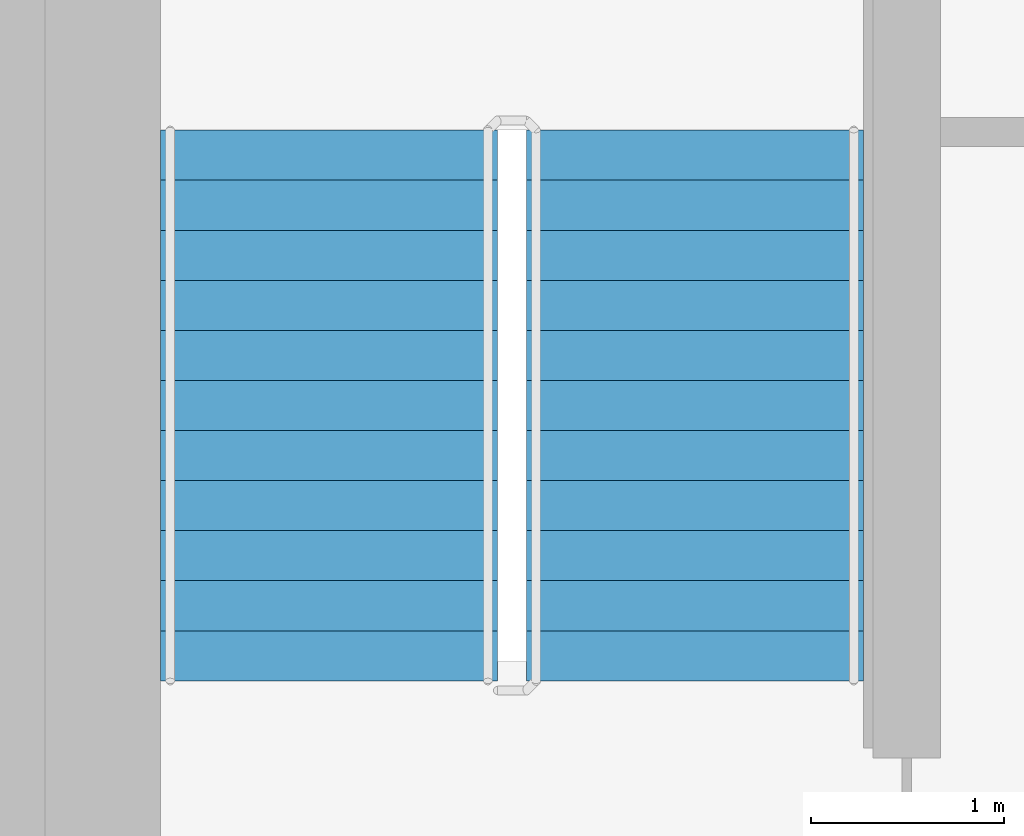
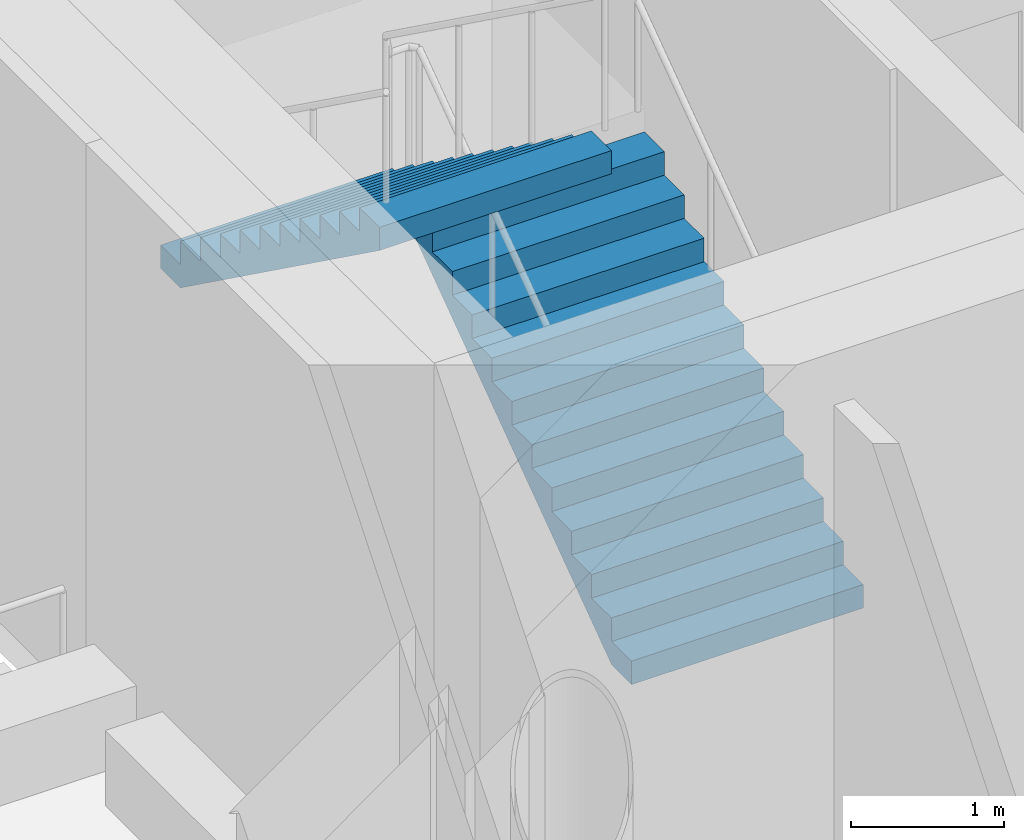
# One storey, part 15 of 20: 2 stair flights, 1 element without a shape of its own.
"""IFC4 building model written with IfcOpenShell, lengths in metres."""

import ifcopenshell
import ifcopenshell.guid

model = None  # the IFC model being written
_history = None  # IfcOwnerHistory: only IFC2X3 demands one
_inside = {}  # id of a spatial element -> (the spatial element, [elements in it])
_under = {}  # id of a project, library or spatial element -> (it, [spatial elements below it])
_declared = {}  # id of a project -> (the project, [libraries it declares])
_typed = {}  # id of a type object -> (the type object, [elements of that type])
_made_of = {}  # id of a material, layer set ... -> (it, [elements and type objects made of it])


def new_model(schema):
    """Start an empty IFC model of exactly this schema.

    Asked for "IFC4X3", IfcOpenShell would pick the latest addendum, in which some entities
    have other attributes; the version numbers below select the first issue.
    IFC2X3 requires an IfcOwnerHistory on every rooted entity: one is made here for all.
    """
    global model, _history
    if schema == "IFC4X3":
        model = ifcopenshell.file(schema_version=(4, 3, 0, 0))
    else:
        model = ifcopenshell.file(schema=schema)
    _inside.clear()
    _under.clear()
    _declared.clear()
    _typed.clear()
    _made_of.clear()
    _history = None
    if model.schema == "IFC2X3":
        org = make("IfcOrganization", Name="unknown")
        user = make(
            "IfcPersonAndOrganization",
            ThePerson=make("IfcPerson", FamilyName="unknown"),
            TheOrganization=org,
        )
        app = make(
            "IfcApplication",
            ApplicationDeveloper=org,
            Version="unknown",
            ApplicationFullName="unknown",
            ApplicationIdentifier="unknown",
        )
        _history = make(
            "IfcOwnerHistory",
            OwningUser=user,
            OwningApplication=app,
            ChangeAction="ADDED",
            CreationDate=0,
        )
    return model


def make(cls, **values):
    """One entity of the class cls with the attributes given. An attribute that is None is left unset."""
    return model.create_entity(
        cls, **{name: value for name, value in values.items() if value is not None}
    )


def rooted(cls, **values):
    """An entity with a GlobalId (a new one), such as an element, a storey or a relation."""
    return make(cls, GlobalId=ifcopenshell.guid.new(), OwnerHistory=_history, **values)


def si_unit(unit_type, name, prefix=None):
    """IfcSIUnit, for example si_unit("LENGTHUNIT", "METRE", prefix="MILLI")."""
    return make("IfcSIUnit", UnitType=unit_type, Prefix=prefix, Name=name)


def assignment(units):
    """IfcUnitAssignment: the units of a project."""
    return None if units is None else make("IfcUnitAssignment", Units=units)


def point(xyz):
    """IfcCartesianPoint."""
    return None if xyz is None else make("IfcCartesianPoint", Coordinates=xyz)


def direction(xyz):
    """IfcDirection."""
    return None if xyz is None else make("IfcDirection", DirectionRatios=xyz)


def frame(location, z_axis=None, x_axis=None):
    """IfcAxis2Placement3D, a coordinate frame: its origin and axes. An axis left out is left unset."""
    return make(
        "IfcAxis2Placement3D",
        Location=point(location),
        Axis=direction(z_axis),
        RefDirection=direction(x_axis),
    )


def origin():
    """The frame at (0, 0, 0) with its axes left unset."""
    return frame((0.0, 0.0, 0.0))


def place(relative_to, where):
    """IfcLocalPlacement: puts the frame where relative to a parent placement (None: the world)."""
    return make(
        "IfcLocalPlacement", PlacementRelTo=relative_to, RelativePlacement=where
    )


def context(
    kind, dimensions, precision=None, world=None, true_north=None, identifier=None
):
    """IfcGeometricRepresentationContext, for example the 3D "Model" context."""
    return make(
        "IfcGeometricRepresentationContext",
        ContextIdentifier=identifier,
        ContextType=kind,
        CoordinateSpaceDimension=dimensions,
        Precision=precision,
        WorldCoordinateSystem=world,
        TrueNorth=true_north,
    )


def subcontext(parent, identifier, kind, view, scale=None):
    """IfcGeometricRepresentationSubContext, for example "Body" below "Model"."""
    return make(
        "IfcGeometricRepresentationSubContext",
        ContextIdentifier=identifier,
        ContextType=kind,
        ParentContext=parent,
        TargetScale=scale,
        TargetView=view,
    )


def project(units=None, contexts=None):
    """IfcProject with its units and contexts."""
    return rooted(
        "IfcProject",
        Name="project",
        RepresentationContexts=contexts,
        UnitsInContext=assignment(units),
    )


def spatial(cls, under=None, at=None, **own):
    """A site, building, storey or space (cls), placed at a placement, below another one or the project."""
    s = rooted(cls, ObjectPlacement=at, **own)
    if under is not None:
        _under.setdefault(under.id(), (under, []))[1].append(s)
    return s


def faces_of(points, faces, orient=None, outer=None):
    """IfcFace entities. A face is a list of loops; a loop is a list of indices into points, from 0.

    orient and outer hold one flag for each loop. By default every Orientation is true, the
    first loop of a face is its IfcFaceOuterBound and the others are IfcFaceBound.
    """
    made = []
    for i, loops in enumerate(faces):
        bounds = []
        for j, loop in enumerate(loops):
            is_outer = j == 0 if outer is None else outer[i][j]
            bounds.append(
                make(
                    "IfcFaceOuterBound" if is_outer else "IfcFaceBound",
                    Bound=make("IfcPolyLoop", Polygon=[points[k] for k in loop]),
                    Orientation=True if orient is None else orient[i][j],
                )
            )
        made.append(make("IfcFace", Bounds=bounds))
    return made


def faceted_brep(points, faces, orient=None, outer=None, voids=None):
    """IfcFacetedBrep: a solid bounded by flat faces; with voids (closed shells), ...WithVoids."""
    shared = [point(p) for p in points]
    hull = make("IfcClosedShell", CfsFaces=faces_of(shared, faces, orient, outer))
    if voids is None:
        return make("IfcFacetedBrep", Outer=hull)
    return make(
        "IfcFacetedBrepWithVoids",
        Outer=hull,
        Voids=[
            make(cls, CfsFaces=faces_of(shared, fs, o, b)) for cls, fs, o, b in voids
        ],
    )


def shape(context_of_items, identifier, shape_type, items):
    """IfcShapeRepresentation: the items that make up one representation, for example the "Body"."""
    return make(
        "IfcShapeRepresentation",
        ContextOfItems=context_of_items,
        RepresentationIdentifier=identifier,
        RepresentationType=shape_type,
        Items=items,
    )


def material(Name=None, Category=None):
    """IfcMaterial."""
    return make("IfcMaterial", Name=Name, Category=Category)


def made_of(thing, what):
    """Note that an element or type object is made of a material, layer set ...; save() writes the relation."""
    if what is not None:
        _made_of.setdefault(what.id(), (what, []))[1].append(thing)
    return thing


def type_object(cls, material=None, **own):
    """A type object (cls), such as IfcWallType, which elements share."""
    return made_of(rooted(cls, **own), material)


def element(
    cls,
    number,
    at=None,
    inside=None,
    cuts=None,
    type_object=None,
    material=None,
    context=None,
    identifier="Body",
    shape_type=None,
    held_by="IfcProductDefinitionShape",
    body=None,
    shapes=None,
    **own,
):
    """One element of the class cls, such as IfcWall. Its Tag is "e" and its number.

    at: its placement. inside: the storey or other place that contains it. cuts: it is an
    opening in that element (IfcRelVoidsElement). A single representation is given by context,
    identifier, shape_type and body (its items); several are given by shapes. held_by: the class
    of the entity that holds the representations. save() writes the other relations.
    """
    e = rooted(cls, Tag="e%d" % number, ObjectPlacement=at, **own)
    if body is not None:
        shapes = [shape(context, identifier, shape_type, body)]
    if shapes is not None:
        e.Representation = make(held_by, Representations=shapes)
    if inside is not None:
        _inside.setdefault(inside.id(), (inside, []))[1].append(e)
    if cuts is not None:
        rooted(
            "IfcRelVoidsElement", RelatingBuildingElement=cuts, RelatedOpeningElement=e
        )
    if type_object is not None:
        _typed.setdefault(type_object.id(), (type_object, []))[1].append(e)
    return made_of(e, material)


def aggregate(whole, parts):
    """IfcRelAggregates: a whole, such as a stair, and the parts it consists of."""
    return rooted("IfcRelAggregates", RelatingObject=whole, RelatedObjects=parts)


def save(model, path):
    """Write the relations noted so far, then the file.

    IfcRelAggregates (storeys below a building ...), IfcRelContainedInSpatialStructure (elements
    in a storey), IfcRelDefinesByType, IfcRelAssociatesMaterial and IfcRelDeclares: one each for
    every whole, place, type object, material and project.
    """
    for whole, parts in _under.values():
        aggregate(whole, parts)
    for where, things in _inside.values():
        rooted(
            "IfcRelContainedInSpatialStructure",
            RelatedElements=things,
            RelatingStructure=where,
        )
    for kind, things in _typed.values():
        rooted("IfcRelDefinesByType", RelatedObjects=things, RelatingType=kind)
    for what, things in _made_of.values():
        rooted("IfcRelAssociatesMaterial", RelatedObjects=things, RelatingMaterial=what)
    for by, libraries in _declared.values():
        rooted("IfcRelDeclares", RelatingContext=by, RelatedDefinitions=libraries)
    model.write(path)


model = new_model("IFC4")

# Units and contexts
model_context = context("Model", 3, precision=1e-05, world=origin(), true_north=direction((0.0, 1.0)))
body_context = subcontext(model_context, "Body", "Model", "MODEL_VIEW")
ifc_project = project(units=[si_unit("LENGTHUNIT", "METRE"), si_unit("AREAUNIT", "SQUARE_METRE"), si_unit("VOLUMEUNIT", "CUBIC_METRE"), si_unit("PLANEANGLEUNIT", "RADIAN"), si_unit("MASSUNIT", "GRAM", prefix="KILO")], contexts=[model_context])

# Site, building, storey
site_placement = place(None, origin())
site = spatial("IfcSite", under=ifc_project, at=site_placement, CompositionType="ELEMENT")
building_placement = place(site_placement, origin())
building = spatial("IfcBuilding", under=site, at=building_placement, Name="Ipe Terrace Towers", CompositionType="ELEMENT")
storey_placement = place(building_placement, frame((0.0, 0.0, 242.39990234375)))
storey = spatial("IfcBuildingStorey", under=building, at=storey_placement, Name="L67", CompositionType="ELEMENT", Elevation=242.39990234375)

# Stair, stair flights
ifc_material_1 = material(Name="Concrete C30/37", Category="concrete")
stair_type = type_object("IfcStairType", Name="Protected exit stair", PredefinedType="HALF_TURN_STAIR", material=ifc_material_1)
stair_placement = place(storey_placement, origin())
stair = element("IfcStair", 1, at=stair_placement, inside=storey, type_object=stair_type, Name="L67 Exit stair T2-C1", PredefinedType="HALF_TURN_STAIR")
ifc_material_2 = material(Name="Concrete C30/37", Category="concrete")
stair_flight_type = type_object("IfcStairFlightType", Name="Exit stair flight 1750", PredefinedType="STRAIGHT", material=ifc_material_2)
stair_flight_1_placement = place(storey_placement, frame((33.22509765625, 9.699951171875, 0.0), z_axis=(0.0, 0.0, 1.0), x_axis=(0.0, 1.0, 0.0)))
stair_flight_1 = element("IfcStairFlight", 2, at=stair_flight_1_placement, type_object=stair_flight_type, Name="T2-ST1 flight 1", NumberOfRisers=12, NumberOfTreads=11, PredefinedType="STRAIGHT", RiserHeight=0.1875, TreadLength=0.26, context=body_context, shape_type="Brep", body=[
    faceted_brep([(0.25634765625, -0.875, 0.0), (2.860107421875, -0.875, 1.877685546875), (2.860107421875, -0.875, 2.0625), (2.60009765625, -0.875, 2.0625), (2.60009765625, -0.875, 1.875), (2.340087890625, -0.875, 1.875), (2.340087890625, -0.875, 1.6875), (2.080078125, -0.875, 1.6875), (2.080078125, -0.875, 1.5), (1.820068359375, -0.875, 1.5), (1.820068359375, -0.875, 1.3125), (1.56005859375, -0.875, 1.3125), (1.56005859375, -0.875, 1.125), (1.300048828125, -0.875, 1.125), (1.300048828125, -0.875, 0.9375), (1.0400390625, -0.875, 0.9375), (1.0400390625, -0.875, 0.75), (0.780029296875, -0.875, 0.75), (0.780029296875, -0.875, 0.5625), (0.52001953125, -0.875, 0.5625), (0.52001953125, -0.875, 0.375), (0.260009765625, -0.875, 0.375), (0.260009765625, -0.875, 0.1875), (0.0, -0.875, 0.1875), (0.0, -0.875, 0.0), (0.0, 0.875, 0.0), (0.0, 0.875, 0.1875), (0.260009765625, 0.875, 0.1875), (0.260009765625, 0.875, 0.375), (0.52001953125, 0.875, 0.375), (0.52001953125, 0.875, 0.5625), (0.780029296875, 0.875, 0.5625), (0.780029296875, 0.875, 0.75), (1.0400390625, 0.875, 0.75), (1.0400390625, 0.875, 0.9375), (1.300048828125, 0.875, 0.9375), (1.300048828125, 0.875, 1.125), (1.56005859375, 0.875, 1.125), (1.56005859375, 0.875, 1.3125), (1.820068359375, 0.875, 1.3125), (1.820068359375, 0.875, 1.5), (2.080078125, 0.875, 1.5), (2.080078125, 0.875, 1.6875), (2.340087890625, 0.875, 1.6875), (2.340087890625, 0.875, 1.875), (2.60009765625, 0.875, 1.875), (2.60009765625, 0.875, 2.0625), (2.860107421875, 0.875, 2.0625), (2.860107421875, 0.875, 1.877685546875), (0.25634765625, 0.875, 0.0), (0.0, -0.300048828125, 0.1875), (0.0, -0.1201171875, 0.1875), (0.0, -0.06005859375, 0.1875), (0.0, -0.030029296875, 0.1875), (0.0, -0.010009765625, 0.1875), (0.0, 0.0, 0.1875), (0.0, 0.010009765625, 0.1875), (0.0, 0.030029296875, 0.1875), (0.0, 0.06005859375, 0.1875), (0.0, 0.1201171875, 0.1875), (0.0, 0.300048828125, 0.1875), (0.0, 0.300048828125, 0.0), (0.0, 0.1201171875, 0.0), (0.0, 0.06005859375, 0.0), (0.0, 0.030029296875, 0.0), (0.0, 0.010009765625, 0.0), (0.0, 0.0, 0.0), (0.0, -0.010009765625, 0.0), (0.0, -0.030029296875, 0.0), (0.0, -0.06005859375, 0.0), (0.0, -0.1201171875, 0.0), (0.0, -0.300048828125, 0.0), (0.260009765625, -0.300048828125, 0.1875), (0.260009765625, -0.1201171875, 0.1875), (0.260009765625, -0.06005859375, 0.1875), (0.260009765625, -0.030029296875, 0.1875), (0.260009765625, -0.010009765625, 0.1875), (0.260009765625, 0.0, 0.1875), (0.260009765625, 0.010009765625, 0.1875), (0.260009765625, 0.030029296875, 0.1875), (0.260009765625, 0.06005859375, 0.1875), (0.260009765625, 0.1201171875, 0.1875), (0.260009765625, 0.300048828125, 0.1875), (0.260009765625, -0.300048828125, 0.375), (0.260009765625, -0.1201171875, 0.375), (0.260009765625, -0.06005859375, 0.375), (0.260009765625, -0.030029296875, 0.375), (0.260009765625, -0.010009765625, 0.375), (0.260009765625, 0.0, 0.375), (0.260009765625, 0.010009765625, 0.375), (0.260009765625, 0.030029296875, 0.375), (0.260009765625, 0.06005859375, 0.375), (0.260009765625, 0.1201171875, 0.375), (0.260009765625, 0.300048828125, 0.375), (0.52001953125, -0.300048828125, 0.375), (0.52001953125, -0.1201171875, 0.375), (0.52001953125, -0.06005859375, 0.375), (0.52001953125, -0.030029296875, 0.375), (0.52001953125, -0.010009765625, 0.375), (0.52001953125, 0.0, 0.375), (0.52001953125, 0.010009765625, 0.375), (0.52001953125, 0.030029296875, 0.375), (0.52001953125, 0.06005859375, 0.375), (0.52001953125, 0.1201171875, 0.375), (0.52001953125, 0.300048828125, 0.375), (0.52001953125, -0.300048828125, 0.5625), (0.52001953125, -0.1201171875, 0.5625), (0.52001953125, -0.06005859375, 0.5625), (0.52001953125, -0.030029296875, 0.5625), (0.52001953125, -0.010009765625, 0.5625), (0.52001953125, 0.0, 0.5625), (0.52001953125, 0.010009765625, 0.5625), (0.52001953125, 0.030029296875, 0.5625), (0.52001953125, 0.06005859375, 0.5625), (0.52001953125, 0.1201171875, 0.5625), (0.52001953125, 0.300048828125, 0.5625), (0.780029296875, -0.300048828125, 0.5625), (0.780029296875, -0.1201171875, 0.5625), (0.780029296875, -0.06005859375, 0.5625), (0.780029296875, -0.030029296875, 0.5625), (0.780029296875, -0.010009765625, 0.5625), (0.780029296875, 0.0, 0.5625), (0.780029296875, 0.010009765625, 0.5625), (0.780029296875, 0.030029296875, 0.5625), (0.780029296875, 0.06005859375, 0.5625), (0.780029296875, 0.1201171875, 0.5625), (0.780029296875, 0.300048828125, 0.5625), (0.780029296875, -0.300048828125, 0.75), (0.780029296875, -0.1201171875, 0.75), (0.780029296875, -0.06005859375, 0.75), (0.780029296875, -0.030029296875, 0.75), (0.780029296875, -0.010009765625, 0.75), (0.780029296875, 0.0, 0.75), (0.780029296875, 0.010009765625, 0.75), (0.780029296875, 0.030029296875, 0.75), (0.780029296875, 0.06005859375, 0.75), (0.780029296875, 0.1201171875, 0.75), (0.780029296875, 0.300048828125, 0.75), (1.0400390625, -0.300048828125, 0.75), (1.0400390625, -0.1201171875, 0.75), (1.0400390625, -0.06005859375, 0.75), (1.0400390625, -0.030029296875, 0.75), (1.0400390625, -0.010009765625, 0.75), (1.0400390625, 0.0, 0.75), (1.0400390625, 0.010009765625, 0.75), (1.0400390625, 0.030029296875, 0.75), (1.0400390625, 0.06005859375, 0.75), (1.0400390625, 0.1201171875, 0.75), (1.0400390625, 0.300048828125, 0.75), (1.0400390625, -0.300048828125, 0.9375), (1.0400390625, -0.1201171875, 0.9375), (1.0400390625, -0.06005859375, 0.9375), (1.0400390625, -0.030029296875, 0.9375), (1.0400390625, -0.010009765625, 0.9375), (1.0400390625, 0.0, 0.9375), (1.0400390625, 0.010009765625, 0.9375), (1.0400390625, 0.030029296875, 0.9375), (1.0400390625, 0.06005859375, 0.9375), (1.0400390625, 0.1201171875, 0.9375), (1.0400390625, 0.300048828125, 0.9375), (1.300048828125, -0.300048828125, 0.9375), (1.300048828125, -0.1201171875, 0.9375), (1.300048828125, -0.06005859375, 0.9375), (1.300048828125, -0.030029296875, 0.9375), (1.300048828125, -0.010009765625, 0.9375), (1.300048828125, 0.0, 0.9375), (1.300048828125, 0.010009765625, 0.9375), (1.300048828125, 0.030029296875, 0.9375), (1.300048828125, 0.06005859375, 0.9375), (1.300048828125, 0.1201171875, 0.9375), (1.300048828125, 0.300048828125, 0.9375), (1.300048828125, -0.300048828125, 1.125), (1.300048828125, -0.1201171875, 1.125), (1.300048828125, -0.06005859375, 1.125), (1.300048828125, -0.030029296875, 1.125), (1.300048828125, -0.010009765625, 1.125), (1.300048828125, 0.0, 1.125), (1.300048828125, 0.010009765625, 1.125), (1.300048828125, 0.030029296875, 1.125), (1.300048828125, 0.06005859375, 1.125), (1.300048828125, 0.1201171875, 1.125), (1.300048828125, 0.300048828125, 1.125), (1.56005859375, -0.300048828125, 1.125), (1.56005859375, -0.1201171875, 1.125), (1.56005859375, -0.06005859375, 1.125), (1.56005859375, -0.030029296875, 1.125), (1.56005859375, -0.010009765625, 1.125), (1.56005859375, 0.0, 1.125), (1.56005859375, 0.010009765625, 1.125), (1.56005859375, 0.030029296875, 1.125), (1.56005859375, 0.06005859375, 1.125), (1.56005859375, 0.1201171875, 1.125), (1.56005859375, 0.300048828125, 1.125), (1.56005859375, -0.300048828125, 1.3125), (1.56005859375, -0.1201171875, 1.3125), (1.56005859375, -0.06005859375, 1.3125), (1.56005859375, -0.030029296875, 1.3125), (1.56005859375, -0.010009765625, 1.3125), (1.56005859375, 0.0, 1.3125), (1.56005859375, 0.010009765625, 1.3125), (1.56005859375, 0.030029296875, 1.3125), (1.56005859375, 0.06005859375, 1.3125), (1.56005859375, 0.1201171875, 1.3125), (1.56005859375, 0.300048828125, 1.3125), (1.820068359375, -0.300048828125, 1.3125), (1.820068359375, -0.1201171875, 1.3125), (1.820068359375, -0.06005859375, 1.3125), (1.820068359375, -0.030029296875, 1.3125), (1.820068359375, -0.010009765625, 1.3125), (1.820068359375, 0.0, 1.3125), (1.820068359375, 0.010009765625, 1.3125), (1.820068359375, 0.030029296875, 1.3125), (1.820068359375, 0.06005859375, 1.3125), (1.820068359375, 0.1201171875, 1.3125), (1.820068359375, 0.300048828125, 1.3125), (1.820068359375, -0.300048828125, 1.5), (1.820068359375, -0.1201171875, 1.5), (1.820068359375, -0.06005859375, 1.5), (1.820068359375, -0.030029296875, 1.5), (1.820068359375, -0.010009765625, 1.5), (1.820068359375, 0.0, 1.5), (1.820068359375, 0.010009765625, 1.5), (1.820068359375, 0.030029296875, 1.5), (1.820068359375, 0.06005859375, 1.5), (1.820068359375, 0.1201171875, 1.5), (1.820068359375, 0.300048828125, 1.5), (2.080078125, -0.300048828125, 1.5), (2.080078125, -0.1201171875, 1.5), (2.080078125, -0.06005859375, 1.5), (2.080078125, -0.030029296875, 1.5), (2.080078125, -0.010009765625, 1.5), (2.080078125, 0.0, 1.5), (2.080078125, 0.010009765625, 1.5), (2.080078125, 0.030029296875, 1.5), (2.080078125, 0.06005859375, 1.5), (2.080078125, 0.1201171875, 1.5), (2.080078125, 0.300048828125, 1.5), (2.080078125, -0.300048828125, 1.6875), (2.080078125, -0.1201171875, 1.6875), (2.080078125, -0.06005859375, 1.6875), (2.080078125, -0.030029296875, 1.6875), (2.080078125, -0.010009765625, 1.6875), (2.080078125, 0.0, 1.6875), (2.080078125, 0.010009765625, 1.6875), (2.080078125, 0.030029296875, 1.6875), (2.080078125, 0.06005859375, 1.6875), (2.080078125, 0.1201171875, 1.6875), (2.080078125, 0.300048828125, 1.6875), (2.340087890625, -0.300048828125, 1.6875), (2.340087890625, -0.1201171875, 1.6875), (2.340087890625, -0.06005859375, 1.6875), (2.340087890625, -0.030029296875, 1.6875), (2.340087890625, -0.010009765625, 1.6875), (2.340087890625, 0.0, 1.6875), (2.340087890625, 0.010009765625, 1.6875), (2.340087890625, 0.030029296875, 1.6875), (2.340087890625, 0.06005859375, 1.6875), (2.340087890625, 0.1201171875, 1.6875), (2.340087890625, 0.300048828125, 1.6875), (2.340087890625, -0.300048828125, 1.875), (2.340087890625, -0.1201171875, 1.875), (2.340087890625, -0.06005859375, 1.875), (2.340087890625, -0.030029296875, 1.875), (2.340087890625, -0.010009765625, 1.875), (2.340087890625, 0.0, 1.875), (2.340087890625, 0.010009765625, 1.875), (2.340087890625, 0.030029296875, 1.875), (2.340087890625, 0.06005859375, 1.875), (2.340087890625, 0.1201171875, 1.875), (2.340087890625, 0.300048828125, 1.875), (2.60009765625, -0.300048828125, 1.875), (2.60009765625, -0.1201171875, 1.875), (2.60009765625, -0.06005859375, 1.875), (2.60009765625, -0.030029296875, 1.875), (2.60009765625, -0.010009765625, 1.875), (2.60009765625, 0.0, 1.875), (2.60009765625, 0.010009765625, 1.875), (2.60009765625, 0.030029296875, 1.875), (2.60009765625, 0.06005859375, 1.875), (2.60009765625, 0.1201171875, 1.875), (2.60009765625, 0.300048828125, 1.875), (2.60009765625, -0.300048828125, 2.0625), (2.60009765625, -0.1201171875, 2.0625), (2.60009765625, -0.06005859375, 2.0625), (2.60009765625, -0.030029296875, 2.0625), (2.60009765625, -0.010009765625, 2.0625), (2.60009765625, 0.0, 2.0625), (2.60009765625, 0.010009765625, 2.0625), (2.60009765625, 0.030029296875, 2.0625), (2.60009765625, 0.06005859375, 2.0625), (2.60009765625, 0.1201171875, 2.0625), (2.60009765625, 0.300048828125, 2.0625), (2.860107421875, -0.300048828125, 2.0625), (2.860107421875, -0.1201171875, 2.0625), (2.860107421875, -0.06005859375, 2.0625), (2.860107421875, -0.030029296875, 2.0625), (2.860107421875, -0.010009765625, 2.0625), (2.860107421875, 0.0, 2.0625), (2.860107421875, 0.010009765625, 2.0625), (2.860107421875, 0.030029296875, 2.0625), (2.860107421875, 0.06005859375, 2.0625), (2.860107421875, 0.1201171875, 2.0625), (2.860107421875, 0.300048828125, 2.0625), (2.860107421875, -0.300048828125, 1.877685546875), (2.860107421875, -0.1201171875, 1.877685546875), (2.860107421875, -0.06005859375, 1.877685546875), (2.860107421875, -0.030029296875, 1.877685546875), (2.860107421875, -0.010009765625, 1.877685546875), (2.860107421875, 0.0, 1.877685546875), (2.860107421875, 0.010009765625, 1.877685546875), (2.860107421875, 0.030029296875, 1.877685546875), (2.860107421875, 0.06005859375, 1.877685546875), (2.860107421875, 0.1201171875, 1.877685546875), (2.860107421875, 0.300048828125, 1.877685546875), (0.25634765625, -0.300048828125, 0.0), (0.25634765625, -0.1201171875, 0.0), (0.25634765625, -0.06005859375, 0.0), (0.25634765625, -0.030029296875, 0.0), (0.25634765625, -0.010009765625, 0.0), (0.25634765625, 0.0, 0.0), (0.25634765625, 0.010009765625, 0.0), (0.25634765625, 0.030029296875, 0.0), (0.25634765625, 0.06005859375, 0.0), (0.25634765625, 0.1201171875, 0.0), (0.25634765625, 0.300048828125, 0.0)], [[[0, 1, 2, 3, 4, 5, 6, 7, 8, 9, 10, 11, 12, 13, 14, 15, 16, 17, 18, 19, 20, 21, 22, 23, 24]], [[25, 26, 27, 28, 29, 30, 31, 32, 33, 34, 35, 36, 37, 38, 39, 40, 41, 42, 43, 44, 45, 46, 47, 48, 49]], [[23, 50, 51, 52, 53, 54, 55, 56, 57, 58, 59, 60, 26, 25, 61, 62, 63, 64, 65, 66, 67, 68, 69, 70, 71, 24]], [[22, 72, 73, 74, 75, 76, 77, 78, 79, 80, 81, 82, 27, 26, 60, 59, 58, 57, 56, 55, 54, 53, 52, 51, 50, 23]], [[21, 83, 84, 85, 86, 87, 88, 89, 90, 91, 92, 93, 28, 27, 82, 81, 80, 79, 78, 77, 76, 75, 74, 73, 72, 22]], [[20, 94, 95, 96, 97, 98, 99, 100, 101, 102, 103, 104, 29, 28, 93, 92, 91, 90, 89, 88, 87, 86, 85, 84, 83, 21]], [[19, 105, 106, 107, 108, 109, 110, 111, 112, 113, 114, 115, 30, 29, 104, 103, 102, 101, 100, 99, 98, 97, 96, 95, 94, 20]], [[18, 116, 117, 118, 119, 120, 121, 122, 123, 124, 125, 126, 31, 30, 115, 114, 113, 112, 111, 110, 109, 108, 107, 106, 105, 19]], [[17, 127, 128, 129, 130, 131, 132, 133, 134, 135, 136, 137, 32, 31, 126, 125, 124, 123, 122, 121, 120, 119, 118, 117, 116, 18]], [[16, 138, 139, 140, 141, 142, 143, 144, 145, 146, 147, 148, 33, 32, 137, 136, 135, 134, 133, 132, 131, 130, 129, 128, 127, 17]], [[15, 149, 150, 151, 152, 153, 154, 155, 156, 157, 158, 159, 34, 33, 148, 147, 146, 145, 144, 143, 142, 141, 140, 139, 138, 16]], [[14, 160, 161, 162, 163, 164, 165, 166, 167, 168, 169, 170, 35, 34, 159, 158, 157, 156, 155, 154, 153, 152, 151, 150, 149, 15]], [[13, 171, 172, 173, 174, 175, 176, 177, 178, 179, 180, 181, 36, 35, 170, 169, 168, 167, 166, 165, 164, 163, 162, 161, 160, 14]], [[12, 182, 183, 184, 185, 186, 187, 188, 189, 190, 191, 192, 37, 36, 181, 180, 179, 178, 177, 176, 175, 174, 173, 172, 171, 13]], [[11, 193, 194, 195, 196, 197, 198, 199, 200, 201, 202, 203, 38, 37, 192, 191, 190, 189, 188, 187, 186, 185, 184, 183, 182, 12]], [[10, 204, 205, 206, 207, 208, 209, 210, 211, 212, 213, 214, 39, 38, 203, 202, 201, 200, 199, 198, 197, 196, 195, 194, 193, 11]], [[9, 215, 216, 217, 218, 219, 220, 221, 222, 223, 224, 225, 40, 39, 214, 213, 212, 211, 210, 209, 208, 207, 206, 205, 204, 10]], [[8, 226, 227, 228, 229, 230, 231, 232, 233, 234, 235, 236, 41, 40, 225, 224, 223, 222, 221, 220, 219, 218, 217, 216, 215, 9]], [[7, 237, 238, 239, 240, 241, 242, 243, 244, 245, 246, 247, 42, 41, 236, 235, 234, 233, 232, 231, 230, 229, 228, 227, 226, 8]], [[6, 248, 249, 250, 251, 252, 253, 254, 255, 256, 257, 258, 43, 42, 247, 246, 245, 244, 243, 242, 241, 240, 239, 238, 237, 7]], [[5, 259, 260, 261, 262, 263, 264, 265, 266, 267, 268, 269, 44, 43, 258, 257, 256, 255, 254, 253, 252, 251, 250, 249, 248, 6]], [[4, 270, 271, 272, 273, 274, 275, 276, 277, 278, 279, 280, 45, 44, 269, 268, 267, 266, 265, 264, 263, 262, 261, 260, 259, 5]], [[3, 281, 282, 283, 284, 285, 286, 287, 288, 289, 290, 291, 46, 45, 280, 279, 278, 277, 276, 275, 274, 273, 272, 271, 270, 4]], [[2, 292, 293, 294, 295, 296, 297, 298, 299, 300, 301, 302, 47, 46, 291, 290, 289, 288, 287, 286, 285, 284, 283, 282, 281, 3]], [[1, 303, 304, 305, 306, 307, 308, 309, 310, 311, 312, 313, 48, 47, 302, 301, 300, 299, 298, 297, 296, 295, 294, 293, 292, 2]], [[0, 314, 315, 316, 317, 318, 319, 320, 321, 322, 323, 324, 49, 48, 313, 312, 311, 310, 309, 308, 307, 306, 305, 304, 303, 1]], [[24, 71, 70, 69, 68, 67, 66, 65, 64, 63, 62, 61, 25, 49, 324, 323, 322, 321, 320, 319, 318, 317, 316, 315, 314, 0]]]),
])
stair_flight_2_placement = place(storey_placement, frame((31.324951171875, 12.56005859375, 2.25), z_axis=(0.0, 0.0, 1.0), x_axis=(0.0, -1.0, 0.0)))
stair_flight_2 = element("IfcStairFlight", 3, at=stair_flight_2_placement, type_object=stair_flight_type, Name="T2-ST1 flight 2", NumberOfRisers=12, NumberOfTreads=11, PredefinedType="STRAIGHT", RiserHeight=0.1875, TreadLength=0.26, context=body_context, shape_type="Brep", body=[
    faceted_brep([(0.25634765625, -0.875, 0.0), (2.860107421875, -0.875, 1.877685546875), (2.860107421875, -0.875, 2.0625), (2.60009765625, -0.875, 2.0625), (2.60009765625, -0.875, 1.875), (2.340087890625, -0.875, 1.875), (2.340087890625, -0.875, 1.6875), (2.080078125, -0.875, 1.6875), (2.080078125, -0.875, 1.5), (1.820068359375, -0.875, 1.5), (1.820068359375, -0.875, 1.3125), (1.56005859375, -0.875, 1.3125), (1.56005859375, -0.875, 1.125), (1.300048828125, -0.875, 1.125), (1.300048828125, -0.875, 0.9375), (1.0400390625, -0.875, 0.9375), (1.0400390625, -0.875, 0.75), (0.780029296875, -0.875, 0.75), (0.780029296875, -0.875, 0.5625), (0.52001953125, -0.875, 0.5625), (0.52001953125, -0.875, 0.375), (0.260009765625, -0.875, 0.375), (0.260009765625, -0.875, 0.1875), (0.0, -0.875, 0.1875), (0.0, -0.875, 0.0), (0.0, 0.875, 0.0), (0.0, 0.875, 0.1875), (0.260009765625, 0.875, 0.1875), (0.260009765625, 0.875, 0.375), (0.52001953125, 0.875, 0.375), (0.52001953125, 0.875, 0.5625), (0.780029296875, 0.875, 0.5625), (0.780029296875, 0.875, 0.75), (1.0400390625, 0.875, 0.75), (1.0400390625, 0.875, 0.9375), (1.300048828125, 0.875, 0.9375), (1.300048828125, 0.875, 1.125), (1.56005859375, 0.875, 1.125), (1.56005859375, 0.875, 1.3125), (1.820068359375, 0.875, 1.3125), (1.820068359375, 0.875, 1.5), (2.080078125, 0.875, 1.5), (2.080078125, 0.875, 1.6875), (2.340087890625, 0.875, 1.6875), (2.340087890625, 0.875, 1.875), (2.60009765625, 0.875, 1.875), (2.60009765625, 0.875, 2.0625), (2.860107421875, 0.875, 2.0625), (2.860107421875, 0.875, 1.877685546875), (0.25634765625, 0.875, 0.0), (0.0, -0.300048828125, 0.1875), (0.0, -0.1201171875, 0.1875), (0.0, -0.06005859375, 0.1875), (0.0, -0.030029296875, 0.1875), (0.0, -0.010009765625, 0.1875), (0.0, 0.0, 0.1875), (0.0, 0.010009765625, 0.1875), (0.0, 0.030029296875, 0.1875), (0.0, 0.06005859375, 0.1875), (0.0, 0.1201171875, 0.1875), (0.0, 0.300048828125, 0.1875), (0.0, 0.300048828125, 0.0), (0.0, 0.1201171875, 0.0), (0.0, 0.06005859375, 0.0), (0.0, 0.030029296875, 0.0), (0.0, 0.010009765625, 0.0), (0.0, 0.0, 0.0), (0.0, -0.010009765625, 0.0), (0.0, -0.030029296875, 0.0), (0.0, -0.06005859375, 0.0), (0.0, -0.1201171875, 0.0), (0.0, -0.300048828125, 0.0), (0.260009765625, -0.300048828125, 0.1875), (0.260009765625, -0.1201171875, 0.1875), (0.260009765625, -0.06005859375, 0.1875), (0.260009765625, -0.030029296875, 0.1875), (0.260009765625, -0.010009765625, 0.1875), (0.260009765625, 0.0, 0.1875), (0.260009765625, 0.010009765625, 0.1875), (0.260009765625, 0.030029296875, 0.1875), (0.260009765625, 0.06005859375, 0.1875), (0.260009765625, 0.1201171875, 0.1875), (0.260009765625, 0.300048828125, 0.1875), (0.260009765625, -0.300048828125, 0.375), (0.260009765625, -0.1201171875, 0.375), (0.260009765625, -0.06005859375, 0.375), (0.260009765625, -0.030029296875, 0.375), (0.260009765625, -0.010009765625, 0.375), (0.260009765625, 0.0, 0.375), (0.260009765625, 0.010009765625, 0.375), (0.260009765625, 0.030029296875, 0.375), (0.260009765625, 0.06005859375, 0.375), (0.260009765625, 0.1201171875, 0.375), (0.260009765625, 0.300048828125, 0.375), (0.52001953125, -0.300048828125, 0.375), (0.52001953125, -0.1201171875, 0.375), (0.52001953125, -0.06005859375, 0.375), (0.52001953125, -0.030029296875, 0.375), (0.52001953125, -0.010009765625, 0.375), (0.52001953125, 0.0, 0.375), (0.52001953125, 0.010009765625, 0.375), (0.52001953125, 0.030029296875, 0.375), (0.52001953125, 0.06005859375, 0.375), (0.52001953125, 0.1201171875, 0.375), (0.52001953125, 0.300048828125, 0.375), (0.52001953125, -0.300048828125, 0.5625), (0.52001953125, -0.1201171875, 0.5625), (0.52001953125, -0.06005859375, 0.5625), (0.52001953125, -0.030029296875, 0.5625), (0.52001953125, -0.010009765625, 0.5625), (0.52001953125, 0.0, 0.5625), (0.52001953125, 0.010009765625, 0.5625), (0.52001953125, 0.030029296875, 0.5625), (0.52001953125, 0.06005859375, 0.5625), (0.52001953125, 0.1201171875, 0.5625), (0.52001953125, 0.300048828125, 0.5625), (0.780029296875, -0.300048828125, 0.5625), (0.780029296875, -0.1201171875, 0.5625), (0.780029296875, -0.06005859375, 0.5625), (0.780029296875, -0.030029296875, 0.5625), (0.780029296875, -0.010009765625, 0.5625), (0.780029296875, 0.0, 0.5625), (0.780029296875, 0.010009765625, 0.5625), (0.780029296875, 0.030029296875, 0.5625), (0.780029296875, 0.06005859375, 0.5625), (0.780029296875, 0.1201171875, 0.5625), (0.780029296875, 0.300048828125, 0.5625), (0.780029296875, -0.300048828125, 0.75), (0.780029296875, -0.1201171875, 0.75), (0.780029296875, -0.06005859375, 0.75), (0.780029296875, -0.030029296875, 0.75), (0.780029296875, -0.010009765625, 0.75), (0.780029296875, 0.0, 0.75), (0.780029296875, 0.010009765625, 0.75), (0.780029296875, 0.030029296875, 0.75), (0.780029296875, 0.06005859375, 0.75), (0.780029296875, 0.1201171875, 0.75), (0.780029296875, 0.300048828125, 0.75), (1.0400390625, -0.300048828125, 0.75), (1.0400390625, -0.1201171875, 0.75), (1.0400390625, -0.06005859375, 0.75), (1.0400390625, -0.030029296875, 0.75), (1.0400390625, -0.010009765625, 0.75), (1.0400390625, 0.0, 0.75), (1.0400390625, 0.010009765625, 0.75), (1.0400390625, 0.030029296875, 0.75), (1.0400390625, 0.06005859375, 0.75), (1.0400390625, 0.1201171875, 0.75), (1.0400390625, 0.300048828125, 0.75), (1.0400390625, -0.300048828125, 0.9375), (1.0400390625, -0.1201171875, 0.9375), (1.0400390625, -0.06005859375, 0.9375), (1.0400390625, -0.030029296875, 0.9375), (1.0400390625, -0.010009765625, 0.9375), (1.0400390625, 0.0, 0.9375), (1.0400390625, 0.010009765625, 0.9375), (1.0400390625, 0.030029296875, 0.9375), (1.0400390625, 0.06005859375, 0.9375), (1.0400390625, 0.1201171875, 0.9375), (1.0400390625, 0.300048828125, 0.9375), (1.300048828125, -0.300048828125, 0.9375), (1.300048828125, -0.1201171875, 0.9375), (1.300048828125, -0.06005859375, 0.9375), (1.300048828125, -0.030029296875, 0.9375), (1.300048828125, -0.010009765625, 0.9375), (1.300048828125, 0.0, 0.9375), (1.300048828125, 0.010009765625, 0.9375), (1.300048828125, 0.030029296875, 0.9375), (1.300048828125, 0.06005859375, 0.9375), (1.300048828125, 0.1201171875, 0.9375), (1.300048828125, 0.300048828125, 0.9375), (1.300048828125, -0.300048828125, 1.125), (1.300048828125, -0.1201171875, 1.125), (1.300048828125, -0.06005859375, 1.125), (1.300048828125, -0.030029296875, 1.125), (1.300048828125, -0.010009765625, 1.125), (1.300048828125, 0.0, 1.125), (1.300048828125, 0.010009765625, 1.125), (1.300048828125, 0.030029296875, 1.125), (1.300048828125, 0.06005859375, 1.125), (1.300048828125, 0.1201171875, 1.125), (1.300048828125, 0.300048828125, 1.125), (1.56005859375, -0.300048828125, 1.125), (1.56005859375, -0.1201171875, 1.125), (1.56005859375, -0.06005859375, 1.125), (1.56005859375, -0.030029296875, 1.125), (1.56005859375, -0.010009765625, 1.125), (1.56005859375, 0.0, 1.125), (1.56005859375, 0.010009765625, 1.125), (1.56005859375, 0.030029296875, 1.125), (1.56005859375, 0.06005859375, 1.125), (1.56005859375, 0.1201171875, 1.125), (1.56005859375, 0.300048828125, 1.125), (1.56005859375, -0.300048828125, 1.3125), (1.56005859375, -0.1201171875, 1.3125), (1.56005859375, -0.06005859375, 1.3125), (1.56005859375, -0.030029296875, 1.3125), (1.56005859375, -0.010009765625, 1.3125), (1.56005859375, 0.0, 1.3125), (1.56005859375, 0.010009765625, 1.3125), (1.56005859375, 0.030029296875, 1.3125), (1.56005859375, 0.06005859375, 1.3125), (1.56005859375, 0.1201171875, 1.3125), (1.56005859375, 0.300048828125, 1.3125), (1.820068359375, -0.300048828125, 1.3125), (1.820068359375, -0.1201171875, 1.3125), (1.820068359375, -0.06005859375, 1.3125), (1.820068359375, -0.030029296875, 1.3125), (1.820068359375, -0.010009765625, 1.3125), (1.820068359375, 0.0, 1.3125), (1.820068359375, 0.010009765625, 1.3125), (1.820068359375, 0.030029296875, 1.3125), (1.820068359375, 0.06005859375, 1.3125), (1.820068359375, 0.1201171875, 1.3125), (1.820068359375, 0.300048828125, 1.3125), (1.820068359375, -0.300048828125, 1.5), (1.820068359375, -0.1201171875, 1.5), (1.820068359375, -0.06005859375, 1.5), (1.820068359375, -0.030029296875, 1.5), (1.820068359375, -0.010009765625, 1.5), (1.820068359375, 0.0, 1.5), (1.820068359375, 0.010009765625, 1.5), (1.820068359375, 0.030029296875, 1.5), (1.820068359375, 0.06005859375, 1.5), (1.820068359375, 0.1201171875, 1.5), (1.820068359375, 0.300048828125, 1.5), (2.080078125, -0.300048828125, 1.5), (2.080078125, -0.1201171875, 1.5), (2.080078125, -0.06005859375, 1.5), (2.080078125, -0.030029296875, 1.5), (2.080078125, -0.010009765625, 1.5), (2.080078125, 0.0, 1.5), (2.080078125, 0.010009765625, 1.5), (2.080078125, 0.030029296875, 1.5), (2.080078125, 0.06005859375, 1.5), (2.080078125, 0.1201171875, 1.5), (2.080078125, 0.300048828125, 1.5), (2.080078125, -0.300048828125, 1.6875), (2.080078125, -0.1201171875, 1.6875), (2.080078125, -0.06005859375, 1.6875), (2.080078125, -0.030029296875, 1.6875), (2.080078125, -0.010009765625, 1.6875), (2.080078125, 0.0, 1.6875), (2.080078125, 0.010009765625, 1.6875), (2.080078125, 0.030029296875, 1.6875), (2.080078125, 0.06005859375, 1.6875), (2.080078125, 0.1201171875, 1.6875), (2.080078125, 0.300048828125, 1.6875), (2.340087890625, -0.300048828125, 1.6875), (2.340087890625, -0.1201171875, 1.6875), (2.340087890625, -0.06005859375, 1.6875), (2.340087890625, -0.030029296875, 1.6875), (2.340087890625, -0.010009765625, 1.6875), (2.340087890625, 0.0, 1.6875), (2.340087890625, 0.010009765625, 1.6875), (2.340087890625, 0.030029296875, 1.6875), (2.340087890625, 0.06005859375, 1.6875), (2.340087890625, 0.1201171875, 1.6875), (2.340087890625, 0.300048828125, 1.6875), (2.340087890625, -0.300048828125, 1.875), (2.340087890625, -0.1201171875, 1.875), (2.340087890625, -0.06005859375, 1.875), (2.340087890625, -0.030029296875, 1.875), (2.340087890625, -0.010009765625, 1.875), (2.340087890625, 0.0, 1.875), (2.340087890625, 0.010009765625, 1.875), (2.340087890625, 0.030029296875, 1.875), (2.340087890625, 0.06005859375, 1.875), (2.340087890625, 0.1201171875, 1.875), (2.340087890625, 0.300048828125, 1.875), (2.60009765625, -0.300048828125, 1.875), (2.60009765625, -0.1201171875, 1.875), (2.60009765625, -0.06005859375, 1.875), (2.60009765625, -0.030029296875, 1.875), (2.60009765625, -0.010009765625, 1.875), (2.60009765625, 0.0, 1.875), (2.60009765625, 0.010009765625, 1.875), (2.60009765625, 0.030029296875, 1.875), (2.60009765625, 0.06005859375, 1.875), (2.60009765625, 0.1201171875, 1.875), (2.60009765625, 0.300048828125, 1.875), (2.60009765625, -0.300048828125, 2.0625), (2.60009765625, -0.1201171875, 2.0625), (2.60009765625, -0.06005859375, 2.0625), (2.60009765625, -0.030029296875, 2.0625), (2.60009765625, -0.010009765625, 2.0625), (2.60009765625, 0.0, 2.0625), (2.60009765625, 0.010009765625, 2.0625), (2.60009765625, 0.030029296875, 2.0625), (2.60009765625, 0.06005859375, 2.0625), (2.60009765625, 0.1201171875, 2.0625), (2.60009765625, 0.300048828125, 2.0625), (2.860107421875, -0.300048828125, 2.0625), (2.860107421875, -0.1201171875, 2.0625), (2.860107421875, -0.06005859375, 2.0625), (2.860107421875, -0.030029296875, 2.0625), (2.860107421875, -0.010009765625, 2.0625), (2.860107421875, 0.0, 2.0625), (2.860107421875, 0.010009765625, 2.0625), (2.860107421875, 0.030029296875, 2.0625), (2.860107421875, 0.06005859375, 2.0625), (2.860107421875, 0.1201171875, 2.0625), (2.860107421875, 0.300048828125, 2.0625), (2.860107421875, -0.300048828125, 1.877685546875), (2.860107421875, -0.1201171875, 1.877685546875), (2.860107421875, -0.06005859375, 1.877685546875), (2.860107421875, -0.030029296875, 1.877685546875), (2.860107421875, -0.010009765625, 1.877685546875), (2.860107421875, 0.0, 1.877685546875), (2.860107421875, 0.010009765625, 1.877685546875), (2.860107421875, 0.030029296875, 1.877685546875), (2.860107421875, 0.06005859375, 1.877685546875), (2.860107421875, 0.1201171875, 1.877685546875), (2.860107421875, 0.300048828125, 1.877685546875), (0.25634765625, -0.300048828125, 0.0), (0.25634765625, -0.1201171875, 0.0), (0.25634765625, -0.06005859375, 0.0), (0.25634765625, -0.030029296875, 0.0), (0.25634765625, -0.010009765625, 0.0), (0.25634765625, 0.0, 0.0), (0.25634765625, 0.010009765625, 0.0), (0.25634765625, 0.030029296875, 0.0), (0.25634765625, 0.06005859375, 0.0), (0.25634765625, 0.1201171875, 0.0), (0.25634765625, 0.300048828125, 0.0)], [[[0, 1, 2, 3, 4, 5, 6, 7, 8, 9, 10, 11, 12, 13, 14, 15, 16, 17, 18, 19, 20, 21, 22, 23, 24]], [[25, 26, 27, 28, 29, 30, 31, 32, 33, 34, 35, 36, 37, 38, 39, 40, 41, 42, 43, 44, 45, 46, 47, 48, 49]], [[23, 50, 51, 52, 53, 54, 55, 56, 57, 58, 59, 60, 26, 25, 61, 62, 63, 64, 65, 66, 67, 68, 69, 70, 71, 24]], [[22, 72, 73, 74, 75, 76, 77, 78, 79, 80, 81, 82, 27, 26, 60, 59, 58, 57, 56, 55, 54, 53, 52, 51, 50, 23]], [[21, 83, 84, 85, 86, 87, 88, 89, 90, 91, 92, 93, 28, 27, 82, 81, 80, 79, 78, 77, 76, 75, 74, 73, 72, 22]], [[20, 94, 95, 96, 97, 98, 99, 100, 101, 102, 103, 104, 29, 28, 93, 92, 91, 90, 89, 88, 87, 86, 85, 84, 83, 21]], [[19, 105, 106, 107, 108, 109, 110, 111, 112, 113, 114, 115, 30, 29, 104, 103, 102, 101, 100, 99, 98, 97, 96, 95, 94, 20]], [[18, 116, 117, 118, 119, 120, 121, 122, 123, 124, 125, 126, 31, 30, 115, 114, 113, 112, 111, 110, 109, 108, 107, 106, 105, 19]], [[17, 127, 128, 129, 130, 131, 132, 133, 134, 135, 136, 137, 32, 31, 126, 125, 124, 123, 122, 121, 120, 119, 118, 117, 116, 18]], [[16, 138, 139, 140, 141, 142, 143, 144, 145, 146, 147, 148, 33, 32, 137, 136, 135, 134, 133, 132, 131, 130, 129, 128, 127, 17]], [[15, 149, 150, 151, 152, 153, 154, 155, 156, 157, 158, 159, 34, 33, 148, 147, 146, 145, 144, 143, 142, 141, 140, 139, 138, 16]], [[14, 160, 161, 162, 163, 164, 165, 166, 167, 168, 169, 170, 35, 34, 159, 158, 157, 156, 155, 154, 153, 152, 151, 150, 149, 15]], [[13, 171, 172, 173, 174, 175, 176, 177, 178, 179, 180, 181, 36, 35, 170, 169, 168, 167, 166, 165, 164, 163, 162, 161, 160, 14]], [[12, 182, 183, 184, 185, 186, 187, 188, 189, 190, 191, 192, 37, 36, 181, 180, 179, 178, 177, 176, 175, 174, 173, 172, 171, 13]], [[11, 193, 194, 195, 196, 197, 198, 199, 200, 201, 202, 203, 38, 37, 192, 191, 190, 189, 188, 187, 186, 185, 184, 183, 182, 12]], [[10, 204, 205, 206, 207, 208, 209, 210, 211, 212, 213, 214, 39, 38, 203, 202, 201, 200, 199, 198, 197, 196, 195, 194, 193, 11]], [[9, 215, 216, 217, 218, 219, 220, 221, 222, 223, 224, 225, 40, 39, 214, 213, 212, 211, 210, 209, 208, 207, 206, 205, 204, 10]], [[8, 226, 227, 228, 229, 230, 231, 232, 233, 234, 235, 236, 41, 40, 225, 224, 223, 222, 221, 220, 219, 218, 217, 216, 215, 9]], [[7, 237, 238, 239, 240, 241, 242, 243, 244, 245, 246, 247, 42, 41, 236, 235, 234, 233, 232, 231, 230, 229, 228, 227, 226, 8]], [[6, 248, 249, 250, 251, 252, 253, 254, 255, 256, 257, 258, 43, 42, 247, 246, 245, 244, 243, 242, 241, 240, 239, 238, 237, 7]], [[5, 259, 260, 261, 262, 263, 264, 265, 266, 267, 268, 269, 44, 43, 258, 257, 256, 255, 254, 253, 252, 251, 250, 249, 248, 6]], [[4, 270, 271, 272, 273, 274, 275, 276, 277, 278, 279, 280, 45, 44, 269, 268, 267, 266, 265, 264, 263, 262, 261, 260, 259, 5]], [[3, 281, 282, 283, 284, 285, 286, 287, 288, 289, 290, 291, 46, 45, 280, 279, 278, 277, 276, 275, 274, 273, 272, 271, 270, 4]], [[2, 292, 293, 294, 295, 296, 297, 298, 299, 300, 301, 302, 47, 46, 291, 290, 289, 288, 287, 286, 285, 284, 283, 282, 281, 3]], [[1, 303, 304, 305, 306, 307, 308, 309, 310, 311, 312, 313, 48, 47, 302, 301, 300, 299, 298, 297, 296, 295, 294, 293, 292, 2]], [[0, 314, 315, 316, 317, 318, 319, 320, 321, 322, 323, 324, 49, 48, 313, 312, 311, 310, 309, 308, 307, 306, 305, 304, 303, 1]], [[24, 71, 70, 69, 68, 67, 66, 65, 64, 63, 62, 61, 25, 49, 324, 323, 322, 321, 320, 319, 318, 317, 316, 315, 314, 0]]]),
])
aggregate(stair, [stair_flight_1, stair_flight_2])

save(model, "model.ifc")
